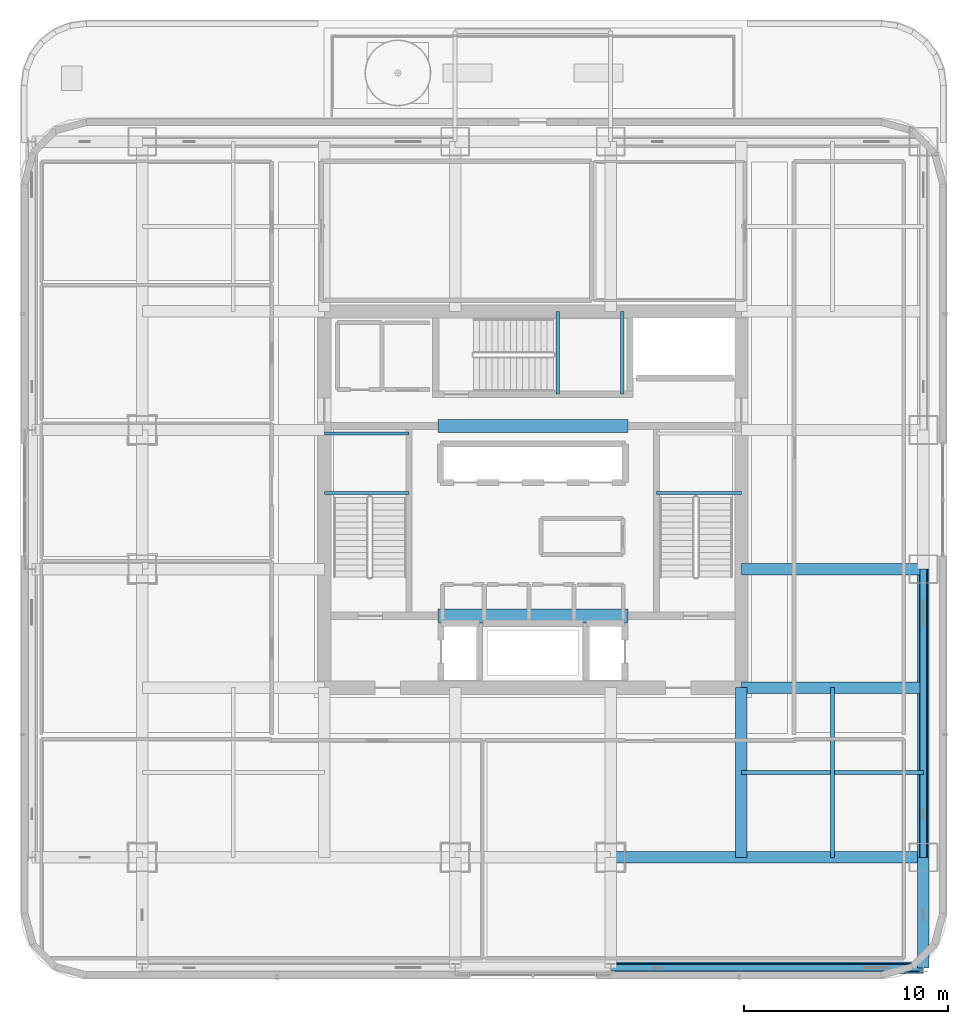
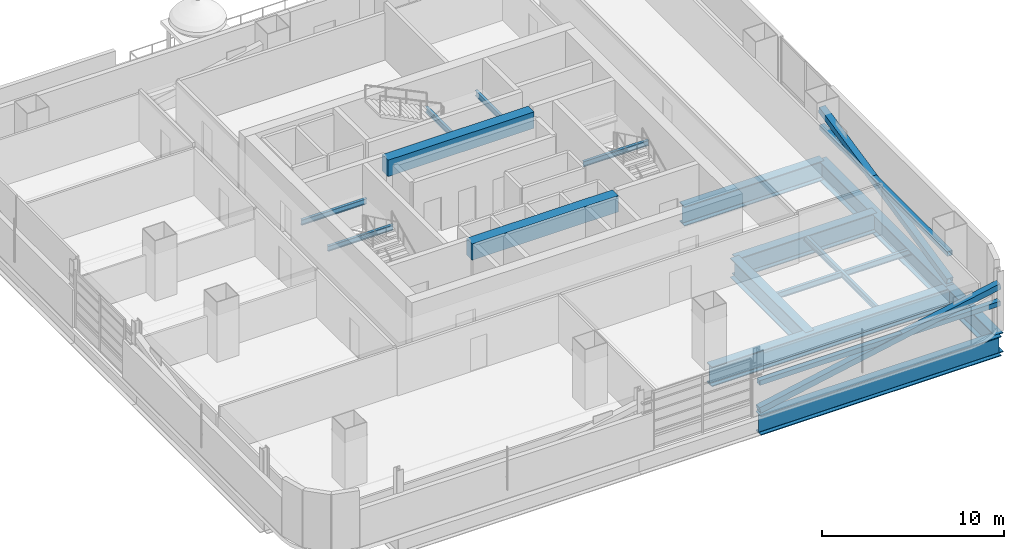
# One storey, part 4 of 29: 16 beams, 4 members.
"""IFC4 building model written with IfcOpenShell, lengths in metres."""

from ifc_helpers import new_model, si_unit, direction, frame, origin, origin_2d, place, context, subcontext, project, spatial, rectangle, hollow_rectangle, i_section, extrude, material, material_profile, profile_set, type_object, element, save


model = new_model("IFC4")

# Units and contexts
model_context = context("Model", 3, precision=1e-05, world=origin(), true_north=direction((0.0, 1.0)))
body_context = subcontext(model_context, "Body", "Model", "MODEL_VIEW")
ifc_project = project(units=[si_unit("LENGTHUNIT", "METRE"), si_unit("AREAUNIT", "SQUARE_METRE"), si_unit("VOLUMEUNIT", "CUBIC_METRE"), si_unit("PLANEANGLEUNIT", "RADIAN"), si_unit("MASSUNIT", "GRAM", prefix="KILO")], contexts=[model_context])

# Site, building, storey
site_placement = place(None, origin())
site = spatial("IfcSite", under=ifc_project, at=site_placement, CompositionType="ELEMENT")
building_placement = place(site_placement, origin())
building = spatial("IfcBuilding", under=site, at=building_placement, Name="Punatoya Terracotta Tower", CompositionType="ELEMENT")
storey_placement = place(building_placement, frame((0.0, 0.0, 172.199951171875)))
storey = spatial("IfcBuildingStorey", under=building, at=storey_placement, Name="L40", CompositionType="ELEMENT", Elevation=172.199951171875)

# Beams
ifc_material_1 = material(Name="Concrete C60/75", Category="concrete")
ifc_material_profile_1 = material_profile(ifc_material_1, rectangle(XDim=0.64990234375, YDim=1.10009765625, at=origin_2d()))
ifc_profile_set_1 = profile_set([ifc_material_profile_1], Name="Concrete C60/75")
beam_type_1 = type_object("IfcBeamType", Name="BM-RC-1100", PredefinedType="LINTEL", material=ifc_profile_set_1)
for number, where, z_axis, x_axis, name in (
    (1, (-4.64990234375, -5.679931640625, 3.280029296875), (1.0, 0.0, 0.0), (0.0, 1.0, 0.0), "L40 Core Coupling Lintel CSW"),
    (2, (-4.64990234375, 3.60009765625, 3.280029296875), (1.0, 0.0, 0.0), (0.0, 1.0, 0.0), "L40 Core Coupling Lintel CNW"),
):
    element("IfcBeam", number, at=place(storey_placement, frame(where, z_axis=z_axis, x_axis=x_axis)), inside=storey, type_object=beam_type_1, Name=name, PredefinedType="LINTEL", context=body_context, shape_type="SweptSolid", body=[
        extrude(rectangle(XDim=0.64990234375, YDim=1.10009765625, at=origin_2d()), origin(), (0.0, 0.0, 1.0), 9.2998046875),
    ])
ifc_material_2 = material(Name="Steel S355", Category="steel")
ifc_material_profile_2 = material_profile(ifc_material_2, i_section(OverallWidth=0.169921875, OverallDepth=0.360107421875, WebThickness=0.008056640625, FlangeThickness=0.0126953125, FilletRadius=0.01806640625, at=origin_2d()))
ifc_profile_set_2 = profile_set([ifc_material_profile_2], Name="Steel S355")
beam_type_2 = type_object("IfcBeamType", Name="BM-SEC-360", PredefinedType="JOIST", material=ifc_profile_set_2)
for number, where, z_axis, x_axis, name in (
    (3, (-10.199951171875, 0.320068359375, 1.64501953125), (1.0, 0.0, 0.0), (0.0, 1.0, 0.0), "BM-L40-ST-1-LD1A"),
    (4, (-10.199951171875, 3.22998046875, 1.64501953125), (1.0, 0.0, 0.0), (0.0, 1.0, 0.0), "BM-L40-ST-1-LD1B"),
    (5, (6.050048828125, 0.320068359375, 1.64501953125), (1.0, 0.0, 0.0), (0.0, 1.0, 0.0), "BM-L40-ST-2-LD1A"),
):
    element("IfcBeam", number, at=place(storey_placement, frame(where, z_axis=z_axis, x_axis=x_axis)), inside=storey, type_object=beam_type_2, Name=name, PredefinedType="JOIST", context=body_context, shape_type="SweptSolid", body=[
        extrude(i_section(OverallWidth=0.169921875, OverallDepth=0.360107421875, WebThickness=0.008056640625, FlangeThickness=0.0126953125, FilletRadius=0.01806640625, at=origin_2d()), origin(), (0.0, 0.0, 1.0), 4.14990234375),
    ])
for number, where, z_axis, x_axis, name in (
    (6, (1.219970703125, 5.14990234375, 1.64501953125), (0.0, 1.0, 0.0), (-1.0, 0.0, 0.0), "BM-L40-ST-3-LD1A"),
    (7, (4.3798828125, 5.14990234375, 1.64501953125), (0.0, 1.0, 0.0), (-1.0, 0.0, 0.0), "BM-L40-ST-3-LD1B"),
):
    element("IfcBeam", number, at=place(storey_placement, frame(where, z_axis=z_axis, x_axis=x_axis)), inside=storey, type_object=beam_type_2, Name=name, PredefinedType="JOIST", context=body_context, shape_type="SweptSolid", body=[
        extrude(i_section(OverallWidth=0.169921875, OverallDepth=0.360107421875, WebThickness=0.008056640625, FlangeThickness=0.0126953125, FilletRadius=0.01806640625, at=origin_2d()), origin(), (0.0, 0.0, 1.0), 4.050048828125),
    ])
ifc_material_profile_3 = material_profile(ifc_material_2, i_section(OverallWidth=0.179931640625, OverallDepth=0.39990234375, WebThickness=0.008544921875, FlangeThickness=0.013427734375, FilletRadius=0.01806640625, at=origin_2d()))
ifc_profile_set_3 = profile_set([ifc_material_profile_3], Name="Steel S355")
beam_type_3 = type_object("IfcBeamType", Name="BM-SEC-400", PredefinedType="JOIST", material=ifc_profile_set_3)
beam_1_placement = place(storey_placement, frame((10.199951171875, -13.35009765625, -0.47998046875), z_axis=(1.0, 0.0, 0.0), x_axis=(0.0, 1.0, 0.0)))
element("IfcBeam", 8, at=beam_1_placement, inside=storey, type_object=beam_type_3, Name="BM-L40-SJS-2", PredefinedType="JOIST", context=body_context, shape_type="SweptSolid", body=[
    extrude(i_section(OverallWidth=0.179931640625, OverallDepth=0.39990234375, WebThickness=0.008544921875, FlangeThickness=0.013427734375, FilletRadius=0.01806640625, at=origin_2d()), origin(), (0.0, 0.0, 1.0), 8.900146484375),
])
beam_2_placement = place(storey_placement, frame((14.64990234375, -17.5, -0.47998046875), z_axis=(0.0, 1.0, 0.0), x_axis=(-1.0, 0.0, 0.0)))
element("IfcBeam", 9, at=beam_2_placement, inside=storey, type_object=beam_type_3, Name="BM-L40-SJE-1", PredefinedType="JOIST", context=body_context, shape_type="SweptSolid", body=[
    extrude(i_section(OverallWidth=0.179931640625, OverallDepth=0.39990234375, WebThickness=0.008544921875, FlangeThickness=0.013427734375, FilletRadius=0.01806640625, at=origin_2d()), origin(), (0.0, 0.0, 1.0), 8.300048828125),
])
ifc_material_3 = material(Name="Steel S460", Category="steel")
ifc_material_profile_4 = material_profile(ifc_material_3, i_section(OverallWidth=0.56005859375, OverallDepth=1.320068359375, WebThickness=0.035888671875, FlangeThickness=0.054931640625, FilletRadius=0.01806640625, at=origin_2d()))
ifc_profile_set_4 = profile_set([ifc_material_profile_4], Name="Steel S460")
beam_type_4 = type_object("IfcBeamType", Name="BM-TG-BLK", PredefinedType="BEAM", material=ifc_profile_set_4)
beam_3_placement = place(storey_placement, frame((3.800048828125, -17.5, -0.93994140625), z_axis=(1.0, 0.0, 0.0), x_axis=(0.0, 1.0, 0.0)))
element("IfcBeam", 10, at=beam_3_placement, inside=storey, type_object=beam_type_4, Name="BM-L40-RG-S3", PredefinedType="BEAM", context=body_context, shape_type="SweptSolid", body=[
    extrude(i_section(OverallWidth=0.56005859375, OverallDepth=1.320068359375, WebThickness=0.035888671875, FlangeThickness=0.054931640625, FilletRadius=0.01806640625, at=origin_2d()), origin(), (0.0, 0.0, 1.0), 15.300048828125),
])
beam_4_placement = place(storey_placement, frame((19.10009765625, -17.5, -0.93994140625), z_axis=(0.0, 1.0, 0.0), x_axis=(-1.0, 0.0, 0.0)))
element("IfcBeam", 11, at=beam_4_placement, inside=storey, type_object=beam_type_4, Name="BM-L40-RG-E1", PredefinedType="BEAM", context=body_context, shape_type="SweptSolid", body=[
    extrude(i_section(OverallWidth=0.56005859375, OverallDepth=1.320068359375, WebThickness=0.035888671875, FlangeThickness=0.054931640625, FilletRadius=0.01806640625, at=origin_2d()), origin(), (0.0, 0.0, 1.0), 14.10009765625),
])
for number, where, z_axis, x_axis, name in (
    (12, (10.199951171875, -9.199951171875, -0.93994140625), (1.0, 0.0, 0.0), (0.0, 1.0, 0.0), "BM-L40-PR-ES"),
    (13, (10.199951171875, -3.39990234375, -0.93994140625), (1.0, 0.0, 0.0), (0.0, 1.0, 0.0), "BM-L40-PR-ED"),
):
    element("IfcBeam", number, at=place(storey_placement, frame(where, z_axis=z_axis, x_axis=x_axis)), inside=storey, type_object=beam_type_4, Name=name, PredefinedType="BEAM", context=body_context, shape_type="SweptSolid", body=[
        extrude(i_section(OverallWidth=0.56005859375, OverallDepth=1.320068359375, WebThickness=0.035888671875, FlangeThickness=0.054931640625, FilletRadius=0.01806640625, at=origin_2d()), origin(), (0.0, 0.0, 1.0), 8.900146484375),
    ])
beam_5_placement = place(storey_placement, frame((10.199951171875, -17.5, -0.93994140625), z_axis=(0.0, 1.0, 0.0), x_axis=(-1.0, 0.0, 0.0)))
element("IfcBeam", 14, at=beam_5_placement, inside=storey, type_object=beam_type_4, Name="BM-L40-PR-S4", PredefinedType="BEAM", context=body_context, shape_type="SweptSolid", body=[
    extrude(i_section(OverallWidth=0.56005859375, OverallDepth=1.320068359375, WebThickness=0.035888671875, FlangeThickness=0.054931640625, FilletRadius=0.01806640625, at=origin_2d()), origin(), (0.0, 0.0, 1.0), 8.300048828125),
])
beam_6_placement = place(storey_placement, frame((19.10009765625, -22.89990234375, -0.93994140625), z_axis=(0.0, 1.0, 0.0), x_axis=(-1.0, 0.0, 0.0)))
element("IfcBeam", 15, at=beam_6_placement, inside=storey, type_object=beam_type_4, Name="BM-L40-CANT-S4", PredefinedType="BEAM", context=body_context, shape_type="SweptSolid", body=[
    extrude(i_section(OverallWidth=0.56005859375, OverallDepth=1.320068359375, WebThickness=0.035888671875, FlangeThickness=0.054931640625, FilletRadius=0.01806640625, at=origin_2d()), origin(), (0.0, 0.0, 1.0), 5.39990234375),
])
beam_7_placement = place(storey_placement, frame((3.800048828125, -22.89990234375, -0.93994140625), z_axis=(1.0, 0.0, 0.0), x_axis=(0.0, 1.0, 0.0)))
element("IfcBeam", 16, at=beam_7_placement, inside=storey, type_object=beam_type_4, Name="BM-L40-PER-S3", PredefinedType="BEAM", context=body_context, shape_type="SweptSolid", body=[
    extrude(i_section(OverallWidth=0.56005859375, OverallDepth=1.320068359375, WebThickness=0.035888671875, FlangeThickness=0.054931640625, FilletRadius=0.01806640625, at=origin_2d()), origin(), (0.0, 0.0, 1.0), 15.300048828125),
])

# Members
ifc_material_profile_5 = material_profile(ifc_material_3, hollow_rectangle(XDim=0.320068359375, YDim=0.320068359375, WallThickness=0.01806640625, at=origin_2d()))
ifc_profile_set_5 = profile_set([ifc_material_profile_5], Name="Steel S460")
member_type_1 = type_object("IfcMemberType", Name="MEM-CHD-320", PredefinedType="CHORD", material=ifc_profile_set_5)
member_1_placement = place(storey_placement, frame((3.800048828125, -22.89990234375, 1.85009765625), z_axis=(1.0, 0.0, 0.0), x_axis=(0.0, 1.0, 0.0)))
element("IfcMember", 17, at=member_1_placement, inside=storey, type_object=member_type_1, Name="L40 Exoskeleton Belt Truss Tie Chord S3", PredefinedType="CHORD", context=body_context, shape_type="SweptSolid", body=[
    extrude(hollow_rectangle(XDim=0.320068359375, YDim=0.320068359375, WallThickness=0.01806640625, at=origin_2d()), origin(), (0.0, 0.0, 1.0), 15.300048828125),
])
member_2_placement = place(storey_placement, frame((19.10009765625, -17.5, 1.85009765625), z_axis=(0.0, 1.0, 0.0), x_axis=(-1.0, 0.0, 0.0)))
element("IfcMember", 18, at=member_2_placement, inside=storey, type_object=member_type_1, Name="L40 Exoskeleton Belt Truss Tie Chord E1", PredefinedType="CHORD", context=body_context, shape_type="SweptSolid", body=[
    extrude(hollow_rectangle(XDim=0.320068359375, YDim=0.320068359375, WallThickness=0.01806640625, at=origin_2d()), origin(), (0.0, 0.0, 1.0), 14.10009765625),
])
ifc_material_profile_6 = material_profile(ifc_material_3, hollow_rectangle(XDim=0.39990234375, YDim=0.39990234375, WallThickness=0.02197265625, at=origin_2d()))
ifc_profile_set_6 = profile_set([ifc_material_profile_6], Name="Steel S460")
member_type_2 = type_object("IfcMemberType", Name="MEM-EXO-400", PredefinedType="BRACE", material=ifc_profile_set_6)
member_3_placement = place(storey_placement, frame((3.800048828125, -22.89990234375, 0.02001953125), z_axis=(0.981192463394, 0.0, 0.193031991594), x_axis=(0.0, 1.0, 0.0)))
element("IfcMember", 19, at=member_3_placement, inside=storey, type_object=member_type_2, Name="L40 Exoskeleton Belt Brace S3", PredefinedType="BRACE", context=body_context, shape_type="SweptSolid", body=[
    extrude(hollow_rectangle(XDim=0.39990234375, YDim=0.39990234375, WallThickness=0.02197265625, at=origin_2d()), origin(), (0.0, 0.0, 1.0), 15.59326171875),
])
member_4_placement = place(storey_placement, frame((19.10009765625, -17.5, 0.02001953125), z_axis=(0.0, 0.977964679292, 0.208770414707), x_axis=(-1.0, 0.0, 0.0)))
element("IfcMember", 20, at=member_4_placement, inside=storey, type_object=member_type_2, Name="L40 Exoskeleton Belt Brace E1", PredefinedType="BRACE", context=body_context, shape_type="SweptSolid", body=[
    extrude(hollow_rectangle(XDim=0.39990234375, YDim=0.39990234375, WallThickness=0.02197265625, at=origin_2d()), origin(), (0.0, 0.0, 1.0), 14.417724609375),
])

save(model, "model.ifc")
